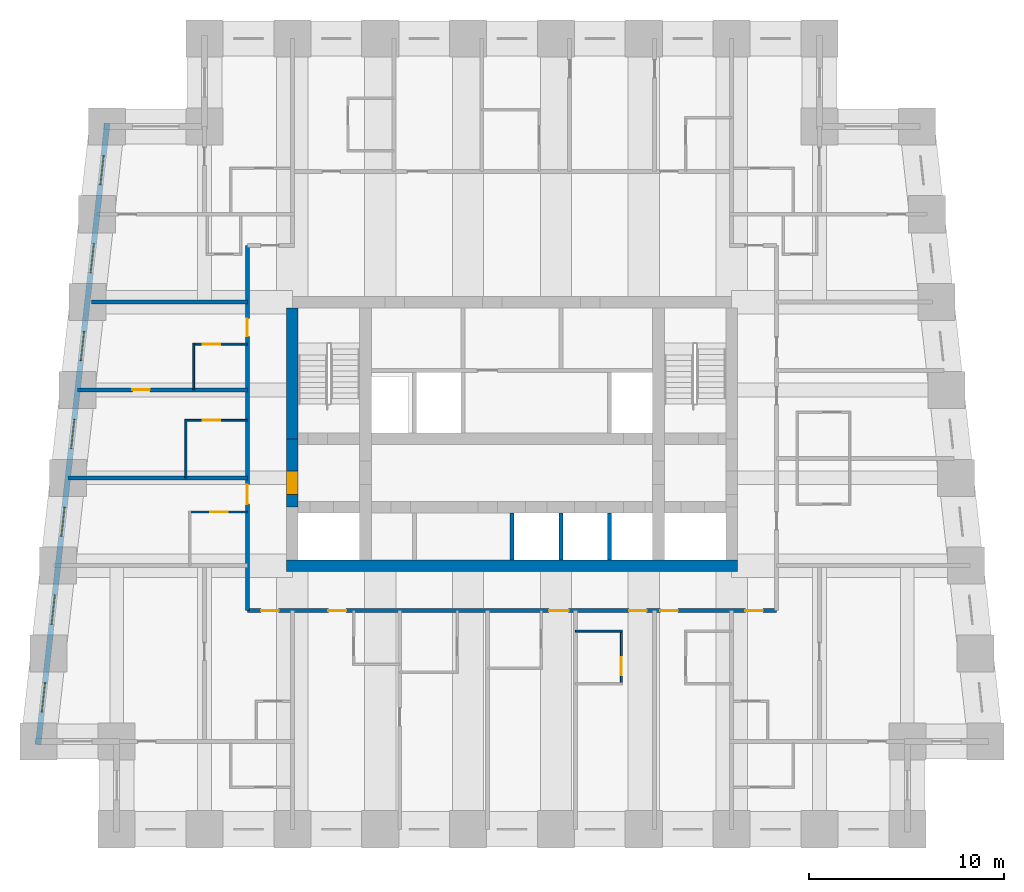
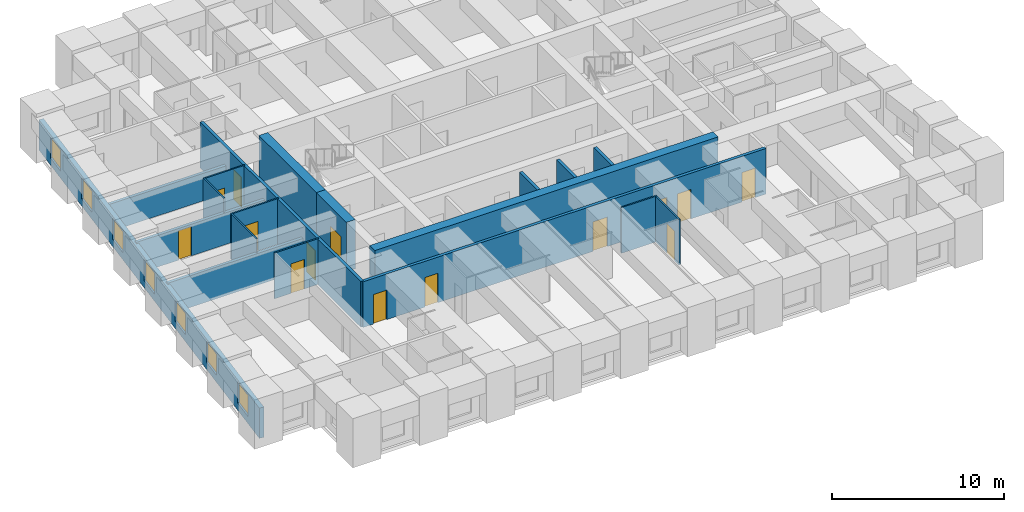
# One storey, part 3 of 8: 19 walls, 14 doors, 7 windows, 21 openings.
"""IFC4 building model written with IfcOpenShell, lengths in metres."""

from ifc_helpers import new_model, si_unit, direction, frame, frame_2d, origin, place, context, subcontext, project, spatial, rectangle, extrude, material, layer, layer_set, type_object, element, fill, save


model = new_model("IFC4")

# Units and contexts
model_context = context("Model", 3, precision=1e-05, world=origin(), true_north=direction((0.0, 1.0)))
body_context = subcontext(model_context, "Body", "Model", "MODEL_VIEW")
ifc_project = project(units=[si_unit("LENGTHUNIT", "METRE"), si_unit("AREAUNIT", "SQUARE_METRE"), si_unit("VOLUMEUNIT", "CUBIC_METRE"), si_unit("PLANEANGLEUNIT", "RADIAN"), si_unit("MASSUNIT", "GRAM", prefix="KILO")], contexts=[model_context])

# Site, building, storey
site_placement = place(None, origin())
site = spatial("IfcSite", under=ifc_project, at=site_placement, CompositionType="ELEMENT")
building_placement = place(site_placement, origin())
building = spatial("IfcBuilding", under=site, at=building_placement, Name="Kilele Tower Hotel", CompositionType="ELEMENT")
storey_placement = place(building_placement, frame((0.0, 0.0, 121.39990234375)))
storey = spatial("IfcBuildingStorey", under=building, at=storey_placement, Name="L31", CompositionType="ELEMENT", Elevation=121.39990234375)

# Wall
ifc_material_1 = material(Name="Moisture-resistant board")
ifc_layer_1 = layer(ifc_material_1, 0.10009765625)
ifc_layer_set_1 = layer_set([ifc_layer_1], Name="Moisture-resistant board")
wall_type_1 = type_object("IfcWallType", Name="Bathroom partition 100", PredefinedType="PLUMBINGWALL", material=ifc_layer_set_1)
wall_1_placement = place(storey_placement, frame((28.0, 10.14990234375, 0.0), z_axis=(0.0, 0.0, 1.0), x_axis=(1.0, 0.0, 0.0)))
element("IfcWall", 1, at=wall_1_placement, inside=storey, type_object=wall_type_1, Name="Bathroom partition 100 L31", PredefinedType="PLUMBINGWALL", context=body_context, shape_type="SweptSolid", body=[
    extrude(rectangle(XDim=2.39990234375, YDim=0.10009765625, at=frame_2d((1.199951171875, 0.0))), origin(), (0.0, 0.0, 1.0), 3.25),
])

# Wall, opening, door
wall_2_placement = place(storey_placement, frame((30.35009765625, 10.199951171875, 0.0), z_axis=(0.0, 0.0, 1.0), x_axis=(0.0, -1.0, 0.0)))
wall_2 = element("IfcWall", 2, at=wall_2_placement, inside=storey, type_object=wall_type_1, Name="Bathroom partition 100 L31", PredefinedType="PLUMBINGWALL", context=body_context, shape_type="SweptSolid", body=[
    extrude(rectangle(XDim=2.800048828125, YDim=0.10009765625, at=frame_2d((1.39990234375, 0.0))), origin(), (0.0, 0.0, 1.0), 3.25),
])
opening_1_placement = place(wall_2_placement, frame((1.39990234375, 0.0, 0.0)))
opening_1 = element("IfcOpeningElement", 3, at=opening_1_placement, cuts=wall_2, Name="Opening D2A", PredefinedType="OPENING", context=body_context, shape_type="SweptSolid", body=[
    extrude(rectangle(XDim=0.89990234375, YDim=2.10009765625, at=frame_2d((0.449951171875, 1.050048828125))), frame((0.0, 0.06005859375, 0.0), z_axis=(0.0, -1.0, 0.0), x_axis=(1.0, 0.0, 0.0)), (0.0, 0.0, 1.0), 0.1201171875),
])
ifc_material_2 = material(Name="Timber door leaf in hardwood frame", Category="wood")
door_type_1 = type_object("IfcDoorType", Name="Bathroom door 900", OperationType="SINGLE_SWING_LEFT", PredefinedType="DOOR", material=ifc_material_2)
door_1_placement = place(opening_1_placement, origin())
door_1 = element("IfcDoor", 4, at=door_1_placement, inside=storey, type_object=door_type_1, Name="Bathroom door 3104B", OperationType="SINGLE_SWING_RIGHT", OverallHeight=2.10009765625, OverallWidth=0.89990234375, PredefinedType="DOOR", context=body_context, shape_type="SweptSolid", body=[
    extrude(rectangle(XDim=0.89990234375, YDim=2.10009765625, at=frame_2d((0.449951171875, 1.050048828125))), frame((0.0, 0.02490234375, 0.0), z_axis=(0.0, -1.0, 0.0), x_axis=(1.0, 0.0, 0.0)), (0.0, 0.0, 1.0), 0.050048828125),
])
fill(opening_1, door_1)

wall_3_placement = place(storey_placement, frame((11.199951171875, 16.25, 0.0), z_axis=(0.0, 0.0, 1.0), x_axis=(-1.0, 0.0, 0.0)))
wall_3 = element("IfcWall", 5, at=wall_3_placement, inside=storey, type_object=wall_type_1, Name="Bathroom partition 100 L31", PredefinedType="PLUMBINGWALL", context=body_context, shape_type="SweptSolid", body=[
    extrude(rectangle(XDim=3.0, YDim=0.10009765625, at=frame_2d((1.5, 0.0))), origin(), (0.0, 0.0, 1.0), 3.25),
])
opening_2_placement = place(wall_3_placement, frame((1.89990234375, 0.0, 0.0), z_axis=(0.0, 0.0, 1.0), x_axis=(-1.0, 0.0, 0.0)))
opening_2 = element("IfcOpeningElement", 6, at=opening_2_placement, cuts=wall_3, Name="Opening D2A", PredefinedType="OPENING", context=body_context, shape_type="SweptSolid", body=[
    extrude(rectangle(XDim=0.89990234375, YDim=2.10009765625, at=frame_2d((0.449951171875, 1.050048828125))), frame((0.0, 0.06005859375, 0.0), z_axis=(0.0, -1.0, 0.0), x_axis=(1.0, 0.0, 0.0)), (0.0, 0.0, 1.0), 0.1201171875),
])
door_2_placement = place(opening_2_placement, origin())
door_2 = element("IfcDoor", 7, at=door_2_placement, inside=storey, type_object=door_type_1, Name="Bathroom door 3114B", OperationType="SINGLE_SWING_RIGHT", OverallHeight=2.10009765625, OverallWidth=0.89990234375, PredefinedType="DOOR", context=body_context, shape_type="SweptSolid", body=[
    extrude(rectangle(XDim=0.89990234375, YDim=2.10009765625, at=frame_2d((0.449951171875, 1.050048828125))), frame((0.0, 0.02490234375, 0.0), z_axis=(0.0, -1.0, 0.0), x_axis=(1.0, 0.0, 0.0)), (0.0, 0.0, 1.0), 0.050048828125),
])
fill(opening_2, door_2)

# Wall
wall_4_placement = place(storey_placement, frame((8.050048828125, 18.0, 0.0), z_axis=(0.0, 0.0, 1.0), x_axis=(0.0, 1.0, 0.0)))
element("IfcWall", 8, at=wall_4_placement, inside=storey, type_object=wall_type_1, Name="Bathroom partition 100 L31", PredefinedType="PLUMBINGWALL", context=body_context, shape_type="SweptSolid", body=[
    extrude(rectangle(XDim=3.0, YDim=0.10009765625, at=frame_2d((1.5, 0.0))), origin(), (0.0, 0.0, 1.0), 3.25),
])

# Wall, opening, door
wall_5_placement = place(storey_placement, frame((11.199951171875, 20.949951171875, 0.0), z_axis=(0.0, 0.0, 1.0), x_axis=(-1.0, 0.0, 0.0)))
wall_5 = element("IfcWall", 9, at=wall_5_placement, inside=storey, type_object=wall_type_1, Name="Bathroom partition 100 L31", PredefinedType="PLUMBINGWALL", context=body_context, shape_type="SweptSolid", body=[
    extrude(rectangle(XDim=3.199951171875, YDim=0.10009765625, at=frame_2d((1.60009765625, 0.0))), origin(), (0.0, 0.0, 1.0), 3.25),
])
opening_3_placement = place(wall_5_placement, frame((2.2998046875, 0.0, 0.0), z_axis=(0.0, 0.0, 1.0), x_axis=(-1.0, 0.0, 0.0)))
opening_3 = element("IfcOpeningElement", 10, at=opening_3_placement, cuts=wall_5, Name="Opening D2A", PredefinedType="OPENING", context=body_context, shape_type="SweptSolid", body=[
    extrude(rectangle(XDim=0.89990234375, YDim=2.10009765625, at=frame_2d((0.449951171875, 1.050048828125))), frame((0.0, 0.06005859375, 0.0), z_axis=(0.0, -1.0, 0.0), x_axis=(1.0, 0.0, 0.0)), (0.0, 0.0, 1.0), 0.1201171875),
])
door_3_placement = place(opening_3_placement, origin())
door_3 = element("IfcDoor", 11, at=door_3_placement, inside=storey, type_object=door_type_1, Name="Bathroom door 3115B", OperationType="SINGLE_SWING_RIGHT", OverallHeight=2.10009765625, OverallWidth=0.89990234375, PredefinedType="DOOR", context=body_context, shape_type="SweptSolid", body=[
    extrude(rectangle(XDim=0.89990234375, YDim=2.10009765625, at=frame_2d((0.449951171875, 1.050048828125))), frame((0.0, 0.02490234375, 0.0), z_axis=(0.0, -1.0, 0.0), x_axis=(1.0, 0.0, 0.0)), (0.0, 0.0, 1.0), 0.050048828125),
])
fill(opening_3, door_3)

# Wall
wall_6_placement = place(storey_placement, frame((8.449951171875, 22.5, 0.0), z_axis=(0.0, 0.0, 1.0), x_axis=(0.0, 1.0, 0.0)))
element("IfcWall", 12, at=wall_6_placement, inside=storey, type_object=wall_type_1, Name="Bathroom partition 100 L31", PredefinedType="PLUMBINGWALL", context=body_context, shape_type="SweptSolid", body=[
    extrude(rectangle(XDim=2.39990234375, YDim=0.10009765625, at=frame_2d((1.199951171875, 0.0))), origin(), (0.0, 0.0, 1.0), 3.25),
])

# Wall, opening, door
wall_7_placement = place(storey_placement, frame((11.199951171875, 24.85009765625, 0.0), z_axis=(0.0, 0.0, 1.0), x_axis=(-1.0, 0.0, 0.0)))
wall_7 = element("IfcWall", 13, at=wall_7_placement, inside=storey, type_object=wall_type_1, Name="Bathroom partition 100 L31", PredefinedType="PLUMBINGWALL", context=body_context, shape_type="SweptSolid", body=[
    extrude(rectangle(XDim=2.800048828125, YDim=0.10009765625, at=frame_2d((1.39990234375, 0.0))), origin(), (0.0, 0.0, 1.0), 3.25),
])
opening_4_placement = place(wall_7_placement, frame((2.2998046875, 0.0, 0.0), z_axis=(0.0, 0.0, 1.0), x_axis=(-1.0, 0.0, 0.0)))
opening_4 = element("IfcOpeningElement", 14, at=opening_4_placement, cuts=wall_7, Name="Opening D2A", PredefinedType="OPENING", context=body_context, shape_type="SweptSolid", body=[
    extrude(rectangle(XDim=0.89990234375, YDim=2.10009765625, at=frame_2d((0.449951171875, 1.050048828125))), frame((0.0, 0.06005859375, 0.0), z_axis=(0.0, -1.0, 0.0), x_axis=(1.0, 0.0, 0.0)), (0.0, 0.0, 1.0), 0.1201171875),
])
door_4_placement = place(opening_4_placement, origin())
door_4 = element("IfcDoor", 15, at=door_4_placement, inside=storey, type_object=door_type_1, Name="Bathroom door 3116B", OperationType="SINGLE_SWING_RIGHT", OverallHeight=2.10009765625, OverallWidth=0.89990234375, PredefinedType="DOOR", context=body_context, shape_type="SweptSolid", body=[
    extrude(rectangle(XDim=0.89990234375, YDim=2.10009765625, at=frame_2d((0.449951171875, 1.050048828125))), frame((0.0, 0.02490234375, 0.0), z_axis=(0.0, -1.0, 0.0), x_axis=(1.0, 0.0, 0.0)), (0.0, 0.0, 1.0), 0.050048828125),
])
fill(opening_4, door_4)

# Walls
ifc_material_3 = material(Name="Concrete C60/75", Category="concrete")
ifc_layer_2 = layer(ifc_material_3, 0.60009765625)
ifc_layer_set_2 = layer_set([ifc_layer_2], Name="Concrete C60/75")
wall_type_2 = type_object("IfcWallType", Name="Core wall 600 C60/75", PredefinedType="SHEAR", material=ifc_layer_set_2)
wall_8_placement = place(storey_placement, frame((13.199951171875, 13.5, 0.0), z_axis=(0.0, 0.0, 1.0), x_axis=(1.0, 0.0, 0.0)))
element("IfcWall", 16, at=wall_8_placement, inside=storey, type_object=wall_type_2, Name="Core wall S L31", PredefinedType="SHEAR", context=body_context, shape_type="SweptSolid", body=[
    extrude(rectangle(XDim=23.10009765625, YDim=0.60009765625, at=frame_2d((11.550048828125, 0.0))), origin(), (0.0, 0.0, 1.0), 3.5),
])
wall_9_placement = place(storey_placement, frame((13.5, 26.699951171875, 0.0), z_axis=(0.0, 0.0, 1.0), x_axis=(0.0, -1.0, 0.0)))
element("IfcWall", 17, at=wall_9_placement, inside=storey, type_object=wall_type_2, Name="Core wall W1 L31", PredefinedType="SHEAR", context=body_context, shape_type="SweptSolid", body=[
    extrude(rectangle(XDim=6.699951171875, YDim=0.60009765625, at=frame_2d((3.35009765625, 0.0))), origin(), (0.0, 0.0, 1.0), 3.5),
])

# Wall, opening, door
wall_10_placement = place(storey_placement, frame((13.5, 20.0, 0.0), z_axis=(0.0, 0.0, 1.0), x_axis=(0.0, -1.0, 0.0)))
wall_10 = element("IfcWall", 18, at=wall_10_placement, inside=storey, type_object=wall_type_2, Name="Core wall W2 L31", PredefinedType="SHEAR", context=body_context, shape_type="SweptSolid", body=[
    extrude(rectangle(XDim=3.5, YDim=0.60009765625, at=frame_2d((1.75, 0.0))), origin(), (0.0, 0.0, 1.0), 3.5),
])
opening_5_placement = place(wall_10_placement, frame((1.64990234375, 0.0, 0.0)))
opening_5 = element("IfcOpeningElement", 19, at=opening_5_placement, cuts=wall_10, Name="Opening D4", PredefinedType="OPENING", context=body_context, shape_type="SweptSolid", body=[
    extrude(rectangle(XDim=1.199951171875, YDim=2.10009765625, at=frame_2d((0.60009765625, 1.050048828125))), frame((0.0, 0.31005859375, 0.0), z_axis=(0.0, -1.0, 0.0), x_axis=(1.0, 0.0, 0.0)), (0.0, 0.0, 1.0), 0.6201171875),
])
ifc_material_4 = material(Name="Timber door leaf in hardwood frame", Category="wood")
door_type_2 = type_object("IfcDoorType", Name="Firefighting lobby door 1200", OperationType="SINGLE_SWING_LEFT", PredefinedType="DOOR", material=ifc_material_4)
door_5_placement = place(opening_5_placement, origin())
door_5 = element("IfcDoor", 20, at=door_5_placement, inside=storey, type_object=door_type_2, Name="Lobby door L31", OperationType="SINGLE_SWING_RIGHT", OverallHeight=2.10009765625, OverallWidth=1.199951171875, PredefinedType="DOOR", context=body_context, shape_type="SweptSolid", body=[
    extrude(rectangle(XDim=1.199951171875, YDim=2.10009765625, at=frame_2d((0.60009765625, 1.050048828125))), frame((0.0, 0.2998046875, 0.0), z_axis=(0.0, -1.0, 0.0), x_axis=(1.0, 0.0, 0.0)), (0.0, 0.0, 1.0), 0.599609375),
])
fill(opening_5, door_5)

# Wall, openings, doors
ifc_material_5 = material(Name="Blockwork, plastered both sides", Category="masonry")
ifc_layer_3 = layer(ifc_material_5, 0.199951171875)
ifc_layer_set_3 = layer_set([ifc_layer_3], Name="Blockwork, plastered both sides")
wall_type_3 = type_object("IfcWallType", Name="Corridor wall 200", PredefinedType="PARTITIONING", material=ifc_layer_set_3)
wall_11_placement = place(storey_placement, frame((11.199951171875, 11.199951171875, 0.0), z_axis=(0.0, 0.0, 1.0), x_axis=(1.0, 0.0, 0.0)))
wall_11 = element("IfcWall", 21, at=wall_11_placement, inside=storey, type_object=wall_type_3, Name="Corridor wall 200 L31", PredefinedType="PARTITIONING", context=body_context, shape_type="SweptSolid", body=[
    extrude(rectangle(XDim=27.10009765625, YDim=0.199951171875, at=frame_2d((13.550048828125, 0.0))), origin(), (0.0, 0.0, 1.0), 3.25),
])
opening_6_placement = place(wall_11_placement, frame((5.0498046875, 0.0, 0.0), z_axis=(0.0, 0.0, 1.0), x_axis=(-1.0, 0.0, 0.0)))
opening_6 = element("IfcOpeningElement", 22, at=opening_6_placement, cuts=wall_11, Name="Opening D1", PredefinedType="OPENING", context=body_context, shape_type="SweptSolid", body=[
    extrude(rectangle(XDim=0.89990234375, YDim=2.10009765625, at=frame_2d((0.449951171875, 1.050048828125))), frame((0.0, 0.10986328125, 0.0), z_axis=(0.0, -1.0, 0.0), x_axis=(1.0, 0.0, 0.0)), (0.0, 0.0, 1.0), 0.219970703125),
])
opening_7_placement = place(wall_11_placement, frame((16.449951171875, 0.0, 0.0), z_axis=(0.0, 0.0, 1.0), x_axis=(-1.0, 0.0, 0.0)))
opening_7 = element("IfcOpeningElement", 23, at=opening_7_placement, cuts=wall_11, Name="Opening D1A", PredefinedType="OPENING", context=body_context, shape_type="SweptSolid", body=[
    extrude(rectangle(XDim=1.0, YDim=2.10009765625, at=frame_2d((0.5, 1.050048828125))), frame((0.0, 0.10986328125, 0.0), z_axis=(0.0, -1.0, 0.0), x_axis=(1.0, 0.0, 0.0)), (0.0, 0.0, 1.0), 0.219970703125),
])
opening_8_placement = place(wall_11_placement, frame((20.449951171875, 0.0, 0.0), z_axis=(0.0, 0.0, 1.0), x_axis=(-1.0, 0.0, 0.0)))
opening_8 = element("IfcOpeningElement", 24, at=opening_8_placement, cuts=wall_11, Name="Opening D1", PredefinedType="OPENING", context=body_context, shape_type="SweptSolid", body=[
    extrude(rectangle(XDim=0.89990234375, YDim=2.10009765625, at=frame_2d((0.449951171875, 1.050048828125))), frame((0.0, 0.10986328125, 0.0), z_axis=(0.0, -1.0, 0.0), x_axis=(1.0, 0.0, 0.0)), (0.0, 0.0, 1.0), 0.219970703125),
])
opening_9_placement = place(wall_11_placement, frame((22.0498046875, 0.0, 0.0), z_axis=(0.0, 0.0, 1.0), x_axis=(-1.0, 0.0, 0.0)))
opening_9 = element("IfcOpeningElement", 25, at=opening_9_placement, cuts=wall_11, Name="Opening D1", PredefinedType="OPENING", context=body_context, shape_type="SweptSolid", body=[
    extrude(rectangle(XDim=0.89990234375, YDim=2.10009765625, at=frame_2d((0.449951171875, 1.050048828125))), frame((0.0, 0.10986328125, 0.0), z_axis=(0.0, -1.0, 0.0), x_axis=(1.0, 0.0, 0.0)), (0.0, 0.0, 1.0), 0.219970703125),
])
opening_10_placement = place(wall_11_placement, frame((1.599853515625, 0.0, 0.0), z_axis=(0.0, 0.0, 1.0), x_axis=(-1.0, 0.0, 0.0)))
opening_10 = element("IfcOpeningElement", 26, at=opening_10_placement, cuts=wall_11, Name="Opening D1", PredefinedType="OPENING", context=body_context, shape_type="SweptSolid", body=[
    extrude(rectangle(XDim=0.89990234375, YDim=2.10009765625, at=frame_2d((0.449951171875, 1.050048828125))), frame((0.0, 0.10986328125, 0.0), z_axis=(0.0, -1.0, 0.0), x_axis=(1.0, 0.0, 0.0)), (0.0, 0.0, 1.0), 0.219970703125),
])
opening_11_placement = place(wall_11_placement, frame((26.39990234375, 0.0, 0.0), z_axis=(0.0, 0.0, 1.0), x_axis=(-1.0, 0.0, 0.0)))
opening_11 = element("IfcOpeningElement", 27, at=opening_11_placement, cuts=wall_11, Name="Opening D1", PredefinedType="OPENING", context=body_context, shape_type="SweptSolid", body=[
    extrude(rectangle(XDim=0.89990234375, YDim=2.10009765625, at=frame_2d((0.449951171875, 1.050048828125))), frame((0.0, 0.10986328125, 0.0), z_axis=(0.0, -1.0, 0.0), x_axis=(1.0, 0.0, 0.0)), (0.0, 0.0, 1.0), 0.219970703125),
])
ifc_material_6 = material(Name="Timber door leaf in hardwood frame", Category="wood")
door_type_3 = type_object("IfcDoorType", Name="Guest room entrance door 1000", OperationType="SINGLE_SWING_LEFT", PredefinedType="DOOR", material=ifc_material_6)
door_6_placement = place(opening_7_placement, origin())
door_6 = element("IfcDoor", 28, at=door_6_placement, inside=storey, type_object=door_type_3, Name="Room entrance 3103", OperationType="SINGLE_SWING_LEFT", OverallHeight=2.10009765625, OverallWidth=1.0, PredefinedType="DOOR", context=body_context, shape_type="SweptSolid", body=[
    extrude(rectangle(XDim=1.0, YDim=2.10009765625, at=frame_2d((0.5, 1.050048828125))), frame((0.0, 0.02490234375, 0.0), z_axis=(0.0, -1.0, 0.0), x_axis=(1.0, 0.0, 0.0)), (0.0, 0.0, 1.0), 0.050048828125),
])
fill(opening_7, door_6)
ifc_material_7 = material(Name="Timber door leaf in hardwood frame", Category="wood")
door_type_4 = type_object("IfcDoorType", Name="Guest room entrance door 900", OperationType="SINGLE_SWING_LEFT", PredefinedType="DOOR", material=ifc_material_7)
door_7_placement = place(opening_6_placement, origin())
door_7 = element("IfcDoor", 29, at=door_7_placement, inside=storey, type_object=door_type_4, Name="Room entrance 3101", OperationType="SINGLE_SWING_LEFT", OverallHeight=2.10009765625, OverallWidth=0.89990234375, PredefinedType="DOOR", context=body_context, shape_type="SweptSolid", body=[
    extrude(rectangle(XDim=0.89990234375, YDim=2.10009765625, at=frame_2d((0.449951171875, 1.050048828125))), frame((0.0, 0.02490234375, 0.0), z_axis=(0.0, -1.0, 0.0), x_axis=(1.0, 0.0, 0.0)), (0.0, 0.0, 1.0), 0.050048828125),
])
fill(opening_6, door_7)
door_8_placement = place(opening_8_placement, origin())
door_8 = element("IfcDoor", 30, at=door_8_placement, inside=storey, type_object=door_type_4, Name="Room entrance 3104", OperationType="SINGLE_SWING_LEFT", OverallHeight=2.10009765625, OverallWidth=0.89990234375, PredefinedType="DOOR", context=body_context, shape_type="SweptSolid", body=[
    extrude(rectangle(XDim=0.89990234375, YDim=2.10009765625, at=frame_2d((0.449951171875, 1.050048828125))), frame((0.0, 0.02490234375, 0.0), z_axis=(0.0, -1.0, 0.0), x_axis=(1.0, 0.0, 0.0)), (0.0, 0.0, 1.0), 0.050048828125),
])
fill(opening_8, door_8)
door_9_placement = place(opening_9_placement, origin())
door_9 = element("IfcDoor", 31, at=door_9_placement, inside=storey, type_object=door_type_4, Name="Room entrance 3105", OperationType="SINGLE_SWING_RIGHT", OverallHeight=2.10009765625, OverallWidth=0.89990234375, PredefinedType="DOOR", context=body_context, shape_type="SweptSolid", body=[
    extrude(rectangle(XDim=0.89990234375, YDim=2.10009765625, at=frame_2d((0.449951171875, 1.050048828125))), frame((0.0, 0.02490234375, 0.0), z_axis=(0.0, -1.0, 0.0), x_axis=(1.0, 0.0, 0.0)), (0.0, 0.0, 1.0), 0.050048828125),
])
fill(opening_9, door_9)
door_10_placement = place(opening_10_placement, origin())
door_10 = element("IfcDoor", 32, at=door_10_placement, inside=storey, type_object=door_type_4, Name="Room entrance 3117", OperationType="SINGLE_SWING_LEFT", OverallHeight=2.10009765625, OverallWidth=0.89990234375, PredefinedType="DOOR", context=body_context, shape_type="SweptSolid", body=[
    extrude(rectangle(XDim=0.89990234375, YDim=2.10009765625, at=frame_2d((0.449951171875, 1.050048828125))), frame((0.0, 0.02490234375, 0.0), z_axis=(0.0, -1.0, 0.0), x_axis=(1.0, 0.0, 0.0)), (0.0, 0.0, 1.0), 0.050048828125),
])
fill(opening_10, door_10)
door_11_placement = place(opening_11_placement, origin())
door_11 = element("IfcDoor", 33, at=door_11_placement, inside=storey, type_object=door_type_4, Name="Room entrance 3120", OperationType="SINGLE_SWING_RIGHT", OverallHeight=2.10009765625, OverallWidth=0.89990234375, PredefinedType="DOOR", context=body_context, shape_type="SweptSolid", body=[
    extrude(rectangle(XDim=0.89990234375, YDim=2.10009765625, at=frame_2d((0.449951171875, 1.050048828125))), frame((0.0, 0.02490234375, 0.0), z_axis=(0.0, -1.0, 0.0), x_axis=(1.0, 0.0, 0.0)), (0.0, 0.0, 1.0), 0.050048828125),
])
fill(opening_11, door_11)

wall_12_placement = place(storey_placement, frame((11.199951171875, 11.199951171875, 0.0), z_axis=(0.0, 0.0, 1.0), x_axis=(0.0, 1.0, 0.0)))
wall_12 = element("IfcWall", 34, at=wall_12_placement, inside=storey, type_object=wall_type_3, Name="Corridor wall 200 L31", PredefinedType="PARTITIONING", context=body_context, shape_type="SweptSolid", body=[
    extrude(rectangle(XDim=18.699951171875, YDim=0.199951171875, at=frame_2d((9.35009765625, 0.0))), origin(), (0.0, 0.0, 1.0), 3.25),
])
opening_12_placement = place(wall_12_placement, frame((5.449951171875, 0.0, 0.0)))
opening_12 = element("IfcOpeningElement", 35, at=opening_12_placement, cuts=wall_12, Name="Opening D8", PredefinedType="OPENING", context=body_context, shape_type="SweptSolid", body=[
    extrude(rectangle(XDim=1.0, YDim=2.10009765625, at=frame_2d((0.5, 1.050048828125))), frame((0.0, 0.10986328125, 0.0), z_axis=(0.0, -1.0, 0.0), x_axis=(1.0, 0.0, 0.0)), (0.0, 0.0, 1.0), 0.219970703125),
])
opening_13_placement = place(wall_12_placement, frame((14.050048828125, 0.0, 0.0)))
opening_13 = element("IfcOpeningElement", 36, at=opening_13_placement, cuts=wall_12, Name="Opening D1", PredefinedType="OPENING", context=body_context, shape_type="SweptSolid", body=[
    extrude(rectangle(XDim=0.89990234375, YDim=2.10009765625, at=frame_2d((0.449951171875, 1.050048828125))), frame((0.0, 0.10986328125, 0.0), z_axis=(0.0, -1.0, 0.0), x_axis=(1.0, 0.0, 0.0)), (0.0, 0.0, 1.0), 0.219970703125),
])
ifc_material_8 = material(Name="Timber door leaf in hardwood frame", Category="wood")
door_type_5 = type_object("IfcDoorType", Name="Door 1000", OperationType="SINGLE_SWING_LEFT", PredefinedType="DOOR", material=ifc_material_8)
door_12_placement = place(opening_12_placement, origin())
door_12 = element("IfcDoor", 37, at=door_12_placement, inside=storey, type_object=door_type_5, Name="Room entrance 3114", OperationType="SINGLE_SWING_LEFT", OverallHeight=2.10009765625, OverallWidth=1.0, PredefinedType="DOOR", context=body_context, shape_type="SweptSolid", body=[
    extrude(rectangle(XDim=1.0, YDim=2.10009765625, at=frame_2d((0.5, 1.050048828125))), frame((0.0, 0.02490234375, 0.0), z_axis=(0.0, -1.0, 0.0), x_axis=(1.0, 0.0, 0.0)), (0.0, 0.0, 1.0), 0.050048828125),
])
fill(opening_12, door_12)
door_13_placement = place(opening_13_placement, origin())
door_13 = element("IfcDoor", 38, at=door_13_placement, inside=storey, type_object=door_type_4, Name="Room entrance 3116", OperationType="SINGLE_SWING_LEFT", OverallHeight=2.10009765625, OverallWidth=0.89990234375, PredefinedType="DOOR", context=body_context, shape_type="SweptSolid", body=[
    extrude(rectangle(XDim=0.89990234375, YDim=2.10009765625, at=frame_2d((0.449951171875, 1.050048828125))), frame((0.0, 0.02490234375, 0.0), z_axis=(0.0, -1.0, 0.0), x_axis=(1.0, 0.0, 0.0)), (0.0, 0.0, 1.0), 0.050048828125),
])
fill(opening_13, door_13)

# Wall
ifc_material_9 = material(Name="Blockwork, plastered both sides", Category="masonry")
ifc_layer_4 = layer(ifc_material_9, 0.199951171875)
ifc_layer_set_4 = layer_set([ifc_layer_4], Name="Blockwork, plastered both sides")
wall_type_4 = type_object("IfcWallType", Name="Party wall 200", PredefinedType="PARTITIONING", material=ifc_layer_set_4)
wall_13_placement = place(storey_placement, frame((11.199951171875, 18.0, 0.0), z_axis=(0.0, 0.0, 1.0), x_axis=(-1.0, 0.0, 0.0)))
element("IfcWall", 39, at=wall_13_placement, inside=storey, type_object=wall_type_4, Name="Party wall 200 L31", PredefinedType="PARTITIONING", context=body_context, shape_type="SweptSolid", body=[
    extrude(rectangle(XDim=9.198974609375, YDim=0.199951171875, at=frame_2d((4.599609375, 0.0))), origin(), (0.0, 0.0, 1.0), 2.25),
])

# Wall, opening, door
wall_14_placement = place(storey_placement, frame((11.199951171875, 22.5, 0.0), z_axis=(0.0, 0.0, 1.0), x_axis=(-1.0, 0.0, 0.0)))
wall_14 = element("IfcWall", 40, at=wall_14_placement, inside=storey, type_object=wall_type_4, Name="Party wall 200 L31", PredefinedType="PARTITIONING", context=body_context, shape_type="SweptSolid", body=[
    extrude(rectangle(XDim=8.698974609375, YDim=0.199951171875, at=frame_2d((4.349609375, 0.0))), origin(), (0.0, 0.0, 1.0), 2.25),
])
opening_14_placement = place(wall_14_placement, frame((5.0, 0.0, 0.0)))
opening_14 = element("IfcOpeningElement", 41, at=opening_14_placement, cuts=wall_14, Name="Opening D3", PredefinedType="OPENING", context=body_context, shape_type="SweptSolid", body=[
    extrude(rectangle(XDim=0.89990234375, YDim=2.10009765625, at=frame_2d((0.449951171875, 1.050048828125))), frame((0.0, 0.10986328125, 0.0), z_axis=(0.0, -1.0, 0.0), x_axis=(1.0, 0.0, 0.0)), (0.0, 0.0, 1.0), 0.219970703125),
])
ifc_material_10 = material(Name="Timber door leaf in hardwood frame", Category="wood")
door_type_6 = type_object("IfcDoorType", Name="Suite internal door 900", OperationType="SINGLE_SWING_LEFT", PredefinedType="DOOR", material=ifc_material_10)
door_14_placement = place(opening_14_placement, origin())
door_14 = element("IfcDoor", 42, at=door_14_placement, inside=storey, type_object=door_type_6, Name="Suite door 3116", OperationType="SINGLE_SWING_RIGHT", OverallHeight=2.10009765625, OverallWidth=0.89990234375, PredefinedType="DOOR", context=body_context, shape_type="SweptSolid", body=[
    extrude(rectangle(XDim=0.89990234375, YDim=2.10009765625, at=frame_2d((0.449951171875, 1.050048828125))), frame((0.0, 0.02490234375, 0.0), z_axis=(0.0, -1.0, 0.0), x_axis=(1.0, 0.0, 0.0)), (0.0, 0.0, 1.0), 0.050048828125),
])
fill(opening_14, door_14)

# Wall
wall_15_placement = place(storey_placement, frame((11.199951171875, 27.0, 0.0), z_axis=(0.0, 0.0, 1.0), x_axis=(-1.0, 0.0, 0.0)))
element("IfcWall", 43, at=wall_15_placement, inside=storey, type_object=wall_type_4, Name="Party wall 200 L31", PredefinedType="PARTITIONING", context=body_context, shape_type="SweptSolid", body=[
    extrude(rectangle(XDim=7.976806640625, YDim=0.199951171875, at=frame_2d((3.98828125, 0.0))), origin(), (0.0, 0.0, 1.0), 1.9501953125),
])

# Wall, openings, windows
ifc_material_11 = material(Name="Concrete C40/50 precast", Category="concrete")
ifc_layer_5 = layer(ifc_material_11, 0.260009765625, Name="Precast backing", Category="LoadBearing")
ifc_material_12 = material(Name="Reconstituted stone finish", Category="masonry")
ifc_layer_6 = layer(ifc_material_12, 0.0400390625, Name="Face mix", Category="Finish")
ifc_layer_set_5 = layer_set([ifc_layer_5, ifc_layer_6], Name="Precast concrete C40/50, reconstituted stone finish")
wall_type_5 = type_object("IfcWallType", Name="Precast stone facade wall 300", PredefinedType="STANDARD", material=ifc_layer_set_5)
wall_16_placement = place(storey_placement, frame((4.0166015625, 36.149169921875, 0.0), z_axis=(0.0, 0.0, 1.0), x_axis=(-0.110433201132, -0.993883548555, 0.0)))
wall_16 = element("IfcWall", 44, at=wall_16_placement, inside=storey, type_object=wall_type_5, Name="Facade wall L31 edge 12", PredefinedType="STANDARD", context=body_context, shape_type="SweptSolid", body=[
    extrude(rectangle(XDim=31.994140625, YDim=0.300048828125, at=frame_2d((15.9970703125, 0.0))), origin(), (0.0, 0.0, 1.0), 2.150146484375),
])
opening_15_placement = place(wall_16_placement, frame((1.6640625, 0.0, 0.5)))
opening_15 = element("IfcOpeningElement", 45, at=opening_15_placement, cuts=wall_16, Name="Opening W2", PredefinedType="OPENING", context=body_context, shape_type="SweptSolid", body=[
    extrude(rectangle(XDim=1.5, YDim=1.5, at=frame_2d((0.75, 0.75))), frame((0.0, 0.159912109375, 0.0), z_axis=(0.0, -1.0, 0.0), x_axis=(1.0, 0.0, 0.0)), (0.0, 0.0, 1.0), 0.320068359375),
])
opening_16_placement = place(wall_16_placement, frame((6.19189453125, 0.0, 0.5)))
opening_16 = element("IfcOpeningElement", 46, at=opening_16_placement, cuts=wall_16, Name="Opening W2", PredefinedType="OPENING", context=body_context, shape_type="SweptSolid", body=[
    extrude(rectangle(XDim=1.5, YDim=1.5, at=frame_2d((0.75, 0.75))), frame((0.0, 0.159912109375, 0.0), z_axis=(0.0, -1.0, 0.0), x_axis=(1.0, 0.0, 0.0)), (0.0, 0.0, 1.0), 0.320068359375),
])
opening_17_placement = place(wall_16_placement, frame((10.718994140625, 0.0, 0.5)))
opening_17 = element("IfcOpeningElement", 47, at=opening_17_placement, cuts=wall_16, Name="Opening W2", PredefinedType="OPENING", context=body_context, shape_type="SweptSolid", body=[
    extrude(rectangle(XDim=1.5, YDim=1.5, at=frame_2d((0.75, 0.75))), frame((0.0, 0.159912109375, 0.0), z_axis=(0.0, -1.0, 0.0), x_axis=(1.0, 0.0, 0.0)), (0.0, 0.0, 1.0), 0.320068359375),
])
opening_18_placement = place(wall_16_placement, frame((15.2470703125, 0.0, 0.5)))
opening_18 = element("IfcOpeningElement", 48, at=opening_18_placement, cuts=wall_16, Name="Opening W2", PredefinedType="OPENING", context=body_context, shape_type="SweptSolid", body=[
    extrude(rectangle(XDim=1.5, YDim=1.5, at=frame_2d((0.75, 0.75))), frame((0.0, 0.159912109375, 0.0), z_axis=(0.0, -1.0, 0.0), x_axis=(1.0, 0.0, 0.0)), (0.0, 0.0, 1.0), 0.320068359375),
])
opening_19_placement = place(wall_16_placement, frame((19.77490234375, 0.0, 0.5)))
opening_19 = element("IfcOpeningElement", 49, at=opening_19_placement, cuts=wall_16, Name="Opening W2", PredefinedType="OPENING", context=body_context, shape_type="SweptSolid", body=[
    extrude(rectangle(XDim=1.5, YDim=1.5, at=frame_2d((0.75, 0.75))), frame((0.0, 0.159912109375, 0.0), z_axis=(0.0, -1.0, 0.0), x_axis=(1.0, 0.0, 0.0)), (0.0, 0.0, 1.0), 0.320068359375),
])
opening_20_placement = place(wall_16_placement, frame((24.302001953125, 0.0, 0.5)))
opening_20 = element("IfcOpeningElement", 50, at=opening_20_placement, cuts=wall_16, Name="Opening W2", PredefinedType="OPENING", context=body_context, shape_type="SweptSolid", body=[
    extrude(rectangle(XDim=1.5, YDim=1.5, at=frame_2d((0.75, 0.75))), frame((0.0, 0.159912109375, 0.0), z_axis=(0.0, -1.0, 0.0), x_axis=(1.0, 0.0, 0.0)), (0.0, 0.0, 1.0), 0.320068359375),
])
opening_21_placement = place(wall_16_placement, frame((28.830078125, 0.0, 0.5)))
opening_21 = element("IfcOpeningElement", 51, at=opening_21_placement, cuts=wall_16, Name="Opening W2", PredefinedType="OPENING", context=body_context, shape_type="SweptSolid", body=[
    extrude(rectangle(XDim=1.5, YDim=1.5, at=frame_2d((0.75, 0.75))), frame((0.0, 0.159912109375, 0.0), z_axis=(0.0, -1.0, 0.0), x_axis=(1.0, 0.0, 0.0)), (0.0, 0.0, 1.0), 0.320068359375),
])
ifc_material_13 = material(Name="Aluminium frame, clear double glazing", Category="aluminium")
window_type = type_object("IfcWindowType", Name="Window W2 1500 x 1500", PartitioningType="SINGLE_PANEL", PredefinedType="WINDOW", material=ifc_material_13)
window_1_placement = place(opening_15_placement, origin())
window_1 = element("IfcWindow", 52, at=window_1_placement, inside=storey, type_object=window_type, Name="Window L31", OverallHeight=1.5, OverallWidth=1.5, PartitioningType="SINGLE_PANEL", PredefinedType="WINDOW", context=body_context, shape_type="SweptSolid", body=[
    extrude(rectangle(XDim=1.5, YDim=1.5, at=frame_2d((0.75, 0.75))), frame((0.0, 0.030029296875, 0.0), z_axis=(0.0, -1.0, 0.0), x_axis=(1.0, 0.0, 0.0)), (0.0, 0.0, 1.0), 0.06005859375),
])
fill(opening_15, window_1)
window_2_placement = place(opening_16_placement, origin())
window_2 = element("IfcWindow", 53, at=window_2_placement, inside=storey, type_object=window_type, Name="Window L31", OverallHeight=1.5, OverallWidth=1.5, PartitioningType="SINGLE_PANEL", PredefinedType="WINDOW", context=body_context, shape_type="SweptSolid", body=[
    extrude(rectangle(XDim=1.5, YDim=1.5, at=frame_2d((0.75, 0.75))), frame((0.0, 0.030029296875, 0.0), z_axis=(0.0, -1.0, 0.0), x_axis=(1.0, 0.0, 0.0)), (0.0, 0.0, 1.0), 0.06005859375),
])
fill(opening_16, window_2)
window_3_placement = place(opening_17_placement, origin())
window_3 = element("IfcWindow", 54, at=window_3_placement, inside=storey, type_object=window_type, Name="Window L31", OverallHeight=1.5, OverallWidth=1.5, PartitioningType="SINGLE_PANEL", PredefinedType="WINDOW", context=body_context, shape_type="SweptSolid", body=[
    extrude(rectangle(XDim=1.5, YDim=1.5, at=frame_2d((0.75, 0.75))), frame((0.0, 0.030029296875, 0.0), z_axis=(0.0, -1.0, 0.0), x_axis=(1.0, 0.0, 0.0)), (0.0, 0.0, 1.0), 0.06005859375),
])
fill(opening_17, window_3)
window_4_placement = place(opening_18_placement, origin())
window_4 = element("IfcWindow", 55, at=window_4_placement, inside=storey, type_object=window_type, Name="Window L31", OverallHeight=1.5, OverallWidth=1.5, PartitioningType="SINGLE_PANEL", PredefinedType="WINDOW", context=body_context, shape_type="SweptSolid", body=[
    extrude(rectangle(XDim=1.5, YDim=1.5, at=frame_2d((0.75, 0.75))), frame((0.0, 0.030029296875, 0.0), z_axis=(0.0, -1.0, 0.0), x_axis=(1.0, 0.0, 0.0)), (0.0, 0.0, 1.0), 0.06005859375),
])
fill(opening_18, window_4)
window_5_placement = place(opening_19_placement, origin())
window_5 = element("IfcWindow", 56, at=window_5_placement, inside=storey, type_object=window_type, Name="Window L31", OverallHeight=1.5, OverallWidth=1.5, PartitioningType="SINGLE_PANEL", PredefinedType="WINDOW", context=body_context, shape_type="SweptSolid", body=[
    extrude(rectangle(XDim=1.5, YDim=1.5, at=frame_2d((0.75, 0.75))), frame((0.0, 0.030029296875, 0.0), z_axis=(0.0, -1.0, 0.0), x_axis=(1.0, 0.0, 0.0)), (0.0, 0.0, 1.0), 0.06005859375),
])
fill(opening_19, window_5)
window_6_placement = place(opening_20_placement, origin())
window_6 = element("IfcWindow", 57, at=window_6_placement, inside=storey, type_object=window_type, Name="Window L31", OverallHeight=1.5, OverallWidth=1.5, PartitioningType="SINGLE_PANEL", PredefinedType="WINDOW", context=body_context, shape_type="SweptSolid", body=[
    extrude(rectangle(XDim=1.5, YDim=1.5, at=frame_2d((0.75, 0.75))), frame((0.0, 0.030029296875, 0.0), z_axis=(0.0, -1.0, 0.0), x_axis=(1.0, 0.0, 0.0)), (0.0, 0.0, 1.0), 0.06005859375),
])
fill(opening_20, window_6)
window_7_placement = place(opening_21_placement, origin())
window_7 = element("IfcWindow", 58, at=window_7_placement, inside=storey, type_object=window_type, Name="Window L31", OverallHeight=1.5, OverallWidth=1.5, PartitioningType="SINGLE_PANEL", PredefinedType="WINDOW", context=body_context, shape_type="SweptSolid", body=[
    extrude(rectangle(XDim=1.5, YDim=1.5, at=frame_2d((0.75, 0.75))), frame((0.0, 0.030029296875, 0.0), z_axis=(0.0, -1.0, 0.0), x_axis=(1.0, 0.0, 0.0)), (0.0, 0.0, 1.0), 0.06005859375),
])
fill(opening_21, window_7)

# Walls
ifc_material_14 = material(Name="Blockwork, fire-rated", Category="masonry")
ifc_layer_7 = layer(ifc_material_14, 0.199951171875)
ifc_layer_set_6 = layer_set([ifc_layer_7], Name="Blockwork, fire-rated")
wall_type_6 = type_object("IfcWallType", Name="Shaft wall 200", PredefinedType="PARTITIONING", material=ifc_layer_set_6)
for number, where, z_axis, x_axis, name in (
    (59, (24.75, 13.800048828125, 0.0), (0.0, 0.0, 1.0), (0.0, 1.0, 0.0), "Shaft wall 200 L31"),
    (60, (27.25, 13.800048828125, 0.0), (0.0, 0.0, 1.0), (0.0, 1.0, 0.0), "Shaft wall 200 L31"),
    (61, (29.75, 13.800048828125, 0.0), (0.0, 0.0, 1.0), (0.0, 1.0, 0.0), "Shaft wall 200 L31"),
):
    element("IfcWall", number, at=place(storey_placement, frame(where, z_axis=z_axis, x_axis=x_axis)), inside=storey, type_object=wall_type_6, Name=name, PredefinedType="PARTITIONING", context=body_context, shape_type="SweptSolid", body=[
        extrude(rectangle(XDim=2.39990234375, YDim=0.199951171875, at=frame_2d((1.199951171875, 0.0))), origin(), (0.0, 0.0, 1.0), 3.25),
    ])

save(model, "model.ifc")
